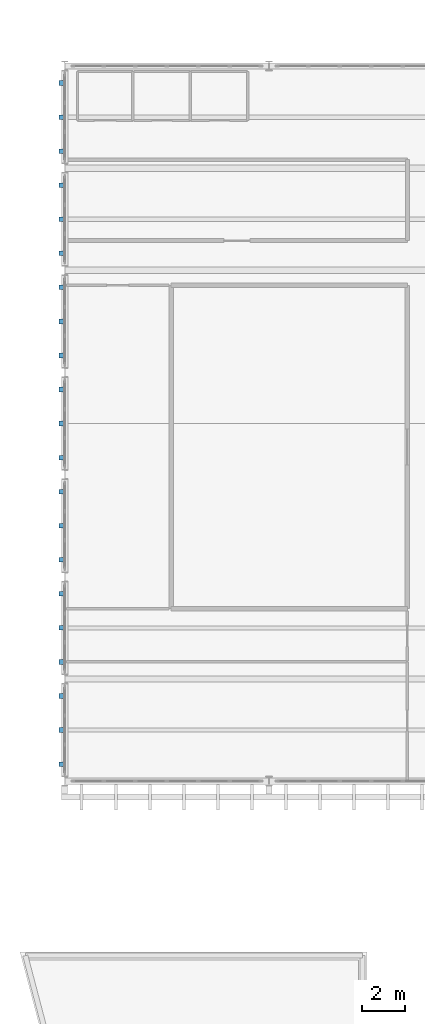
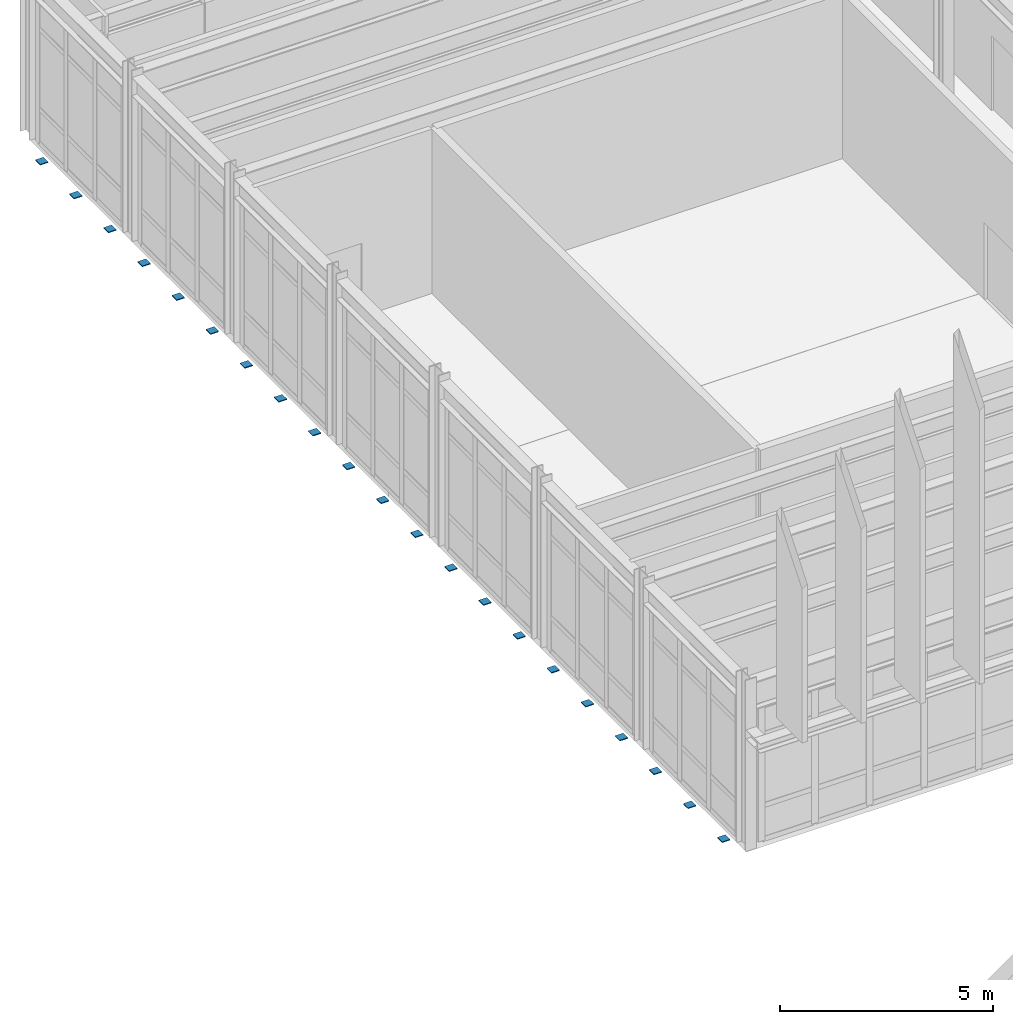
# One storey, part 25 of 28: 21 discrete accessories.
"""IFC4 building model written with IfcOpenShell, lengths in metres."""

from ifc_helpers import new_model, si_unit, direction, frame, origin, origin_2d, place, context, subcontext, project, spatial, rectangle, extrude, material, layer, layer_set, type_object, element, save


model = new_model("IFC4")

# Units and contexts
model_context = context("Model", 3, precision=1e-05, world=origin(), true_north=direction((0.0, 1.0)))
body_context = subcontext(model_context, "Body", "Model", "MODEL_VIEW")
ifc_project = project(units=[si_unit("LENGTHUNIT", "METRE"), si_unit("AREAUNIT", "SQUARE_METRE"), si_unit("VOLUMEUNIT", "CUBIC_METRE"), si_unit("PLANEANGLEUNIT", "RADIAN"), si_unit("MASSUNIT", "GRAM", prefix="KILO")], contexts=[model_context])

# Site, building, storey
site_placement = place(None, origin())
site = spatial("IfcSite", under=ifc_project, at=site_placement, CompositionType="ELEMENT")
building_placement = place(site_placement, origin())
building = spatial("IfcBuilding", under=site, at=building_placement, Name="Nordkorset Police Headquarters", CompositionType="ELEMENT")
storey_placement = place(building_placement, frame((0.0, 0.0, 26.25)))
storey = spatial("IfcBuildingStorey", under=building, at=storey_placement, Name="L06", CompositionType="ELEMENT", Elevation=26.25)

# Discrete accessories
ifc_material = material(Name="Steel S355J2", Category="steel")
ifc_layer = layer(ifc_material, 0.02490234375, Name="Steel S355J2")
ifc_layer_set = layer_set([ifc_layer], Name="Steel S355J2")
discrete_accessory_type = type_object("IfcDiscreteAccessoryType", Name="Fin_Outrigger_Bracket", PredefinedType="BRACKET", material=ifc_layer_set)
for number, where, z_axis, x_axis, name in (
    (1, (-0.14990234375, 84.0, -0.262451171875), (0.0, 0.0, 1.0), (1.0, 0.0, 0.0), "Timber Fin Outrigger Bracket W-001-L06"),
    (2, (-0.14990234375, 85.60009765625, -0.262451171875), (0.0, 0.0, 1.0), (1.0, 0.0, 0.0), "Timber Fin Outrigger Bracket W-002-L06"),
    (3, (-0.14990234375, 87.199951171875, -0.262451171875), (0.0, 0.0, 1.0), (1.0, 0.0, 0.0), "Timber Fin Outrigger Bracket W-003-L06"),
    (4, (-0.14990234375, 88.800048828125, -0.262451171875), (0.0, 0.0, 1.0), (1.0, 0.0, 0.0), "Timber Fin Outrigger Bracket W-004-L06"),
    (5, (-0.14990234375, 90.39990234375, -0.262451171875), (0.0, 0.0, 1.0), (1.0, 0.0, 0.0), "Timber Fin Outrigger Bracket W-005-L06"),
    (6, (-0.14990234375, 92.0, -0.262451171875), (0.0, 0.0, 1.0), (1.0, 0.0, 0.0), "Timber Fin Outrigger Bracket W-006-L06"),
    (7, (-0.14990234375, 93.60009765625, -0.262451171875), (0.0, 0.0, 1.0), (1.0, 0.0, 0.0), "Timber Fin Outrigger Bracket W-007-L06"),
    (8, (-0.14990234375, 95.199951171875, -0.262451171875), (0.0, 0.0, 1.0), (1.0, 0.0, 0.0), "Timber Fin Outrigger Bracket W-008-L06"),
    (9, (-0.14990234375, 96.800048828125, -0.262451171875), (0.0, 0.0, 1.0), (1.0, 0.0, 0.0), "Timber Fin Outrigger Bracket W-009-L06"),
    (10, (-0.14990234375, 98.39990234375, -0.262451171875), (0.0, 0.0, 1.0), (1.0, 0.0, 0.0), "Timber Fin Outrigger Bracket W-010-L06"),
    (11, (-0.14990234375, 100.0, -0.262451171875), (0.0, 0.0, 1.0), (1.0, 0.0, 0.0), "Timber Fin Outrigger Bracket W-011-L06"),
    (12, (-0.14990234375, 101.60009765625, -0.262451171875), (0.0, 0.0, 1.0), (1.0, 0.0, 0.0), "Timber Fin Outrigger Bracket W-012-L06"),
    (13, (-0.14990234375, 103.199951171875, -0.262451171875), (0.0, 0.0, 1.0), (1.0, 0.0, 0.0), "Timber Fin Outrigger Bracket W-013-L06"),
    (14, (-0.14990234375, 104.800048828125, -0.262451171875), (0.0, 0.0, 1.0), (1.0, 0.0, 0.0), "Timber Fin Outrigger Bracket W-014-L06"),
    (15, (-0.14990234375, 106.39990234375, -0.262451171875), (0.0, 0.0, 1.0), (1.0, 0.0, 0.0), "Timber Fin Outrigger Bracket W-015-L06"),
    (16, (-0.14990234375, 108.0, -0.262451171875), (0.0, 0.0, 1.0), (1.0, 0.0, 0.0), "Timber Fin Outrigger Bracket W-016-L06"),
    (17, (-0.14990234375, 109.60009765625, -0.262451171875), (0.0, 0.0, 1.0), (1.0, 0.0, 0.0), "Timber Fin Outrigger Bracket W-017-L06"),
    (18, (-0.14990234375, 111.199951171875, -0.262451171875), (0.0, 0.0, 1.0), (1.0, 0.0, 0.0), "Timber Fin Outrigger Bracket W-018-L06"),
    (19, (-0.14990234375, 112.800048828125, -0.262451171875), (0.0, 0.0, 1.0), (1.0, 0.0, 0.0), "Timber Fin Outrigger Bracket W-019-L06"),
    (20, (-0.14990234375, 114.39990234375, -0.262451171875), (0.0, 0.0, 1.0), (1.0, 0.0, 0.0), "Timber Fin Outrigger Bracket W-020-L06"),
    (21, (-0.14990234375, 116.0, -0.262451171875), (0.0, 0.0, 1.0), (1.0, 0.0, 0.0), "Timber Fin Outrigger Bracket W-021-L06"),
):
    element("IfcDiscreteAccessory", number, at=place(storey_placement, frame(where, z_axis=z_axis, x_axis=x_axis)), inside=storey, type_object=discrete_accessory_type, Name=name, PredefinedType="BRACKET", context=body_context, shape_type="SweptSolid", body=[
        extrude(rectangle(XDim=0.219970703125, YDim=0.219970703125, at=origin_2d()), origin(), (0.0, 0.0, 1.0), 0.02490234375),
    ])

save(model, "model.ifc")
